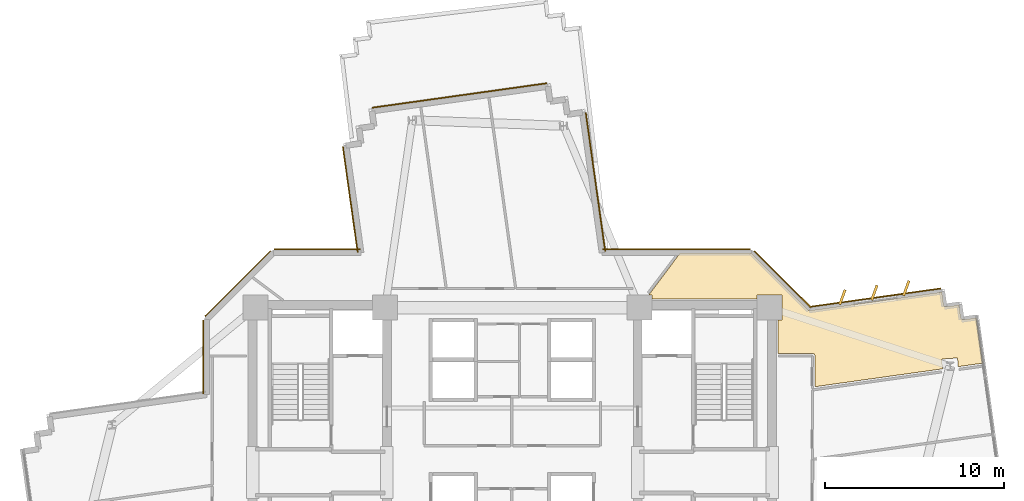
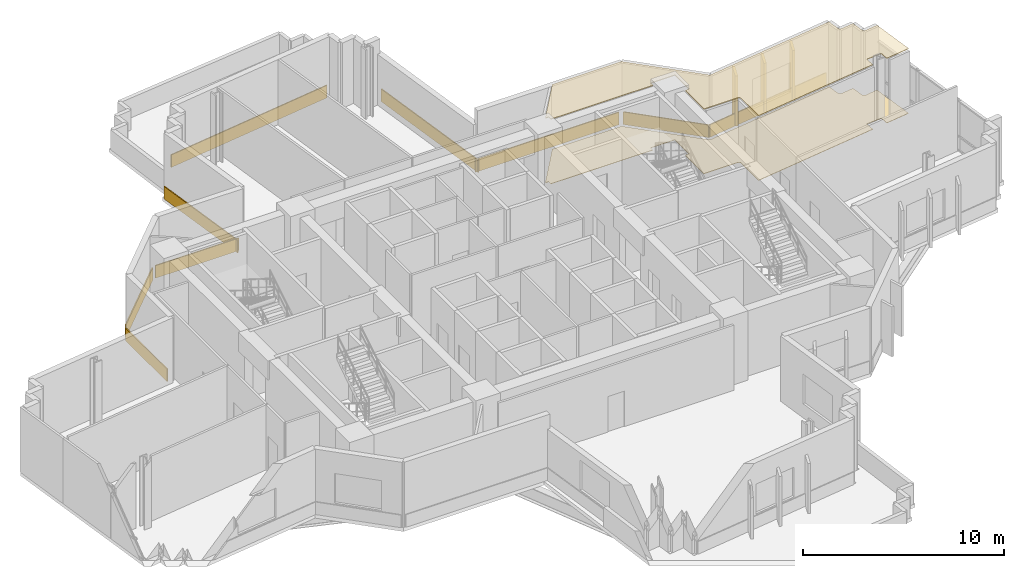
# One storey, part 13 of 13: 14 coverings.
"""IFC4 building model written with IfcOpenShell, lengths in metres."""

from ifc_helpers import new_model, si_unit, direction, frame, origin, origin_2d, place, context, subcontext, project, spatial, polyline, rectangle, outline, extrude, source, transform, mapped, material, layer, layer_set, type_object, element, save


model = new_model("IFC4")

# Units and contexts
model_context = context("Model", 3, precision=1e-05, world=origin(), true_north=direction((0.0, 1.0)))
body_context = subcontext(model_context, "Body", "Model", "MODEL_VIEW")
ifc_project = project(units=[si_unit("LENGTHUNIT", "METRE"), si_unit("AREAUNIT", "SQUARE_METRE"), si_unit("VOLUMEUNIT", "CUBIC_METRE"), si_unit("PLANEANGLEUNIT", "RADIAN"), si_unit("MASSUNIT", "GRAM", prefix="KILO")], contexts=[model_context])

# Site, building, storey
site_placement = place(None, origin())
site = spatial("IfcSite", under=ifc_project, at=site_placement, CompositionType="ELEMENT")
building_placement = place(site_placement, origin())
building = spatial("IfcBuilding", under=site, at=building_placement, Name="Zahravan Cultural Tower", CompositionType="ELEMENT")
storey_placement = place(building_placement, frame((0.0, 0.0, 117.300048828125)))
storey = spatial("IfcBuildingStorey", under=building, at=storey_placement, Name="L26", CompositionType="ELEMENT", Elevation=117.300048828125)

# Coverings
ifc_material_1 = material(Name="Acoustic mineral fibreboard")
ifc_layer_1 = layer(ifc_material_1, 0.0400390625)
ifc_layer_set_1 = layer_set([ifc_layer_1], Name="Acoustic mineral fibreboard")
covering_type_1 = type_object("IfcCoveringType", Name="COV-CEIL-AC20", PredefinedType="CEILING", material=ifc_layer_set_1)
covering_1_placement = place(storey_placement, frame((0.0, 0.0, 3.909912109375)))
element("IfcCovering", 1, at=covering_1_placement, inside=storey, type_object=covering_type_1, Name="L26 Acoustic Suspended Ceiling", PredefinedType="CEILING", context=body_context, shape_type="SweptSolid", body=[
    extrude(outline(polyline([(52.7578125, 33.639892578125), (52.80419921875, 33.630615234375), (52.85009765625, 33.60009765625), (52.880615234375, 33.55419921875), (52.889892578125, 33.5078125), (52.889892578125, 31.781005859375), (60.015380859375, 32.780029296875), (59.97705078125, 33.327880859375), (60.854736328125, 33.389404296875), (60.888916015625, 32.90234375), (62.248291015625, 33.093017578125), (61.894287109375, 35.618408203125), (61.201416015625, 35.521240234375), (61.1328125, 35.528564453125), (61.067626953125, 35.57275390625), (61.03369140625, 35.63720703125), (60.9345703125, 36.342041015625), (60.243408203125, 36.2451171875), (60.1884765625, 36.248291015625), (60.131591796875, 36.275634765625), (60.08984375, 36.32275390625), (60.07177734375, 36.374755859375), (59.974853515625, 37.06591796875), (52.577880859375, 36.03271484375), (52.501220703125, 36.072509765625), (49.333740234375, 39.239990234375), (45.36279296875, 39.239990234375), (43.615478515625, 36.89990234375), (43.800048828125, 36.89990234375), (43.800048828125, 36.679931640625), (49.64990234375, 36.679931640625), (49.64990234375, 36.89990234375), (51.050048828125, 36.89990234375), (51.050048828125, 35.5), (50.830078125, 35.5), (50.830078125, 33.6396484375), (52.7578125, 33.639892578125)])), origin(), (0.0, 0.0, 1.0), 0.0400390625),
])
ifc_material_2 = material(Name="Terrazzo flooring")
ifc_layer_2 = layer(ifc_material_2, 0.02490234375)
ifc_layer_set_2 = layer_set([ifc_layer_2], Name="Terrazzo flooring")
covering_type_2 = type_object("IfcCoveringType", Name="COV-FLR-TZ25", PredefinedType="FLOORING", material=ifc_layer_set_2)
covering_2_placement = place(storey_placement, origin())
element("IfcCovering", 2, at=covering_2_placement, inside=storey, type_object=covering_type_2, Name="L26 Polished Terrazzo Flooring", PredefinedType="FLOORING", context=body_context, shape_type="SweptSolid", body=[
    extrude(outline(polyline([(52.7578125, 33.639892578125), (52.80419921875, 33.630615234375), (52.85009765625, 33.60009765625), (52.880615234375, 33.55419921875), (52.889892578125, 33.5078125), (52.889892578125, 31.781005859375), (60.015380859375, 32.780029296875), (59.97705078125, 33.327880859375), (60.854736328125, 33.389404296875), (60.888916015625, 32.90234375), (62.248291015625, 33.093017578125), (61.894287109375, 35.618408203125), (61.201416015625, 35.521240234375), (61.1328125, 35.528564453125), (61.067626953125, 35.57275390625), (61.03369140625, 35.63720703125), (60.9345703125, 36.342041015625), (60.243408203125, 36.2451171875), (60.1884765625, 36.248291015625), (60.131591796875, 36.275634765625), (60.08984375, 36.32275390625), (60.07177734375, 36.374755859375), (59.974853515625, 37.06591796875), (52.577880859375, 36.03271484375), (52.501220703125, 36.072509765625), (49.333740234375, 39.239990234375), (45.36279296875, 39.239990234375), (43.615478515625, 36.89990234375), (43.800048828125, 36.89990234375), (43.800048828125, 36.679931640625), (49.64990234375, 36.679931640625), (49.64990234375, 36.89990234375), (51.050048828125, 36.89990234375), (51.050048828125, 35.5), (50.830078125, 35.5), (50.830078125, 33.6396484375), (52.7578125, 33.639892578125)])), origin(), (0.0, 0.0, 1.0), 0.02490234375),
])
ifc_material_3 = material(Name="Terracotta ceramic cladding", Category="masonry")
ifc_layer_3 = layer(ifc_material_3, 0.06005859375)
ifc_layer_set_3 = layer_set([ifc_layer_3], Name="Terracotta ceramic cladding")
covering_type_3 = type_object("IfcCoveringType", Name="COV-CLAD-TC60", PredefinedType="CLADDING", material=ifc_layer_set_3)
shared_shape_1 = source(origin(), body_context, "Body", "SweptSolid", [
    extrude(rectangle(XDim=9.820068359375, YDim=0.06005859375, at=origin_2d()), origin(), (0.0, 0.0, 1.0), 0.760009765625),
])
covering_3_placement = place(storey_placement, frame((33.050537109375, 48.039306640625, 0.02001953125), z_axis=(0.0, 0.0, 1.0), x_axis=(0.990316588987, 0.138827423723, 0.0)))
element("IfcCovering", 3, at=covering_3_placement, inside=storey, type_object=covering_type_3, Name="L26 Terracotta Spandrel Cladding 45", PredefinedType="CLADDING", context=body_context, shape_type="MappedRepresentation", body=[
    mapped(shared_shape_1, transform((0.0, 0.0, 0.0), x_axis=(1.0, 0.0, 0.0), y_axis=(0.0, 1.0, 0.0), z_axis=(0.0, 0.0, 1.0), scale=1.0)),
])
shared_shape_2 = source(origin(), body_context, "Body", "SweptSolid", [
    extrude(rectangle(XDim=5.157958984375, YDim=0.06005859375, at=origin_2d()), origin(), (0.0, 0.0, 1.0), 0.760009765625),
])
covering_4_placement = place(storey_placement, frame((20.668212890625, 37.53173828125, 0.02001953125), z_axis=(0.0, 0.0, 1.0), x_axis=(0.707106781187, 0.707106781187, 0.0)))
element("IfcCovering", 4, at=covering_4_placement, inside=storey, type_object=covering_type_3, Name="L26 Terracotta Spandrel Cladding 38", PredefinedType="CLADDING", context=body_context, shape_type="MappedRepresentation", body=[
    mapped(shared_shape_2, transform((0.0, 0.0, 0.0), x_axis=(1.0, 0.0, 0.0), y_axis=(0.0, 1.0, 0.0), z_axis=(0.0, 0.0, 1.0), scale=1.0)),
])
shared_shape_3 = source(origin(), body_context, "Body", "SweptSolid", [
    extrude(rectangle(XDim=0.8798828125, YDim=0.139892578125, at=origin_2d()), origin(), (0.0, 0.0, 1.0), 3.030029296875),
])
for number, where, z_axis, x_axis, name in (
    (5, (54.426025390625, 36.78271484375, 0.0498046875), (0.0, 0.0, 1.0), (0.342364535679, 0.939567200742, 0.0), "L26 Herringbone Terracotta Fin 01"),
    (6, (56.20849609375, 37.03271484375, 0.0498046875), (0.0, 0.0, 1.0), (0.342364535679, 0.939567200742, 0.0), "L26 Herringbone Terracotta Fin 02"),
    (7, (57.9912109375, 37.28271484375, 0.0498046875), (0.0, 0.0, 1.0), (0.342364535679, 0.939567200742, 0.0), "L26 Herringbone Terracotta Fin 03"),
):
    element("IfcCovering", number, at=place(storey_placement, frame(where, z_axis=z_axis, x_axis=x_axis)), inside=storey, type_object=covering_type_3, Name=name, PredefinedType="CLADDING", context=body_context, shape_type="MappedRepresentation", body=[
        mapped(shared_shape_3, transform((0.0, 0.0, 0.0), x_axis=(1.0, 0.0, 0.0), y_axis=(0.0, 1.0, 0.0), z_axis=(0.0, 0.0, 1.0), scale=1.0)),
    ])
shared_shape_4 = source(origin(), body_context, "Body", "SweptSolid", [
    extrude(rectangle(XDim=7.40869140625, YDim=0.06005859375, at=origin_2d()), origin(), (0.0, 0.0, 1.0), 0.760009765625),
])
covering_5_placement = place(storey_placement, frame((56.248291015625, 36.75048828125, 0.02001953125), z_axis=(0.0, 0.0, 1.0), x_axis=(0.990319011832, 0.138810139416, 0.0)))
element("IfcCovering", 8, at=covering_5_placement, inside=storey, type_object=covering_type_3, Name="L26 Terracotta Spandrel Cladding 01", PredefinedType="CLADDING", context=body_context, shape_type="MappedRepresentation", body=[
    mapped(shared_shape_4, transform((0.0, 0.0, 0.0), x_axis=(1.0, 0.0, 0.0), y_axis=(0.0, 1.0, 0.0), z_axis=(0.0, 0.0, 1.0), scale=1.0)),
])
shared_shape_5 = source(origin(), body_context, "Body", "SweptSolid", [
    extrude(rectangle(XDim=4.1083984375, YDim=0.06005859375, at=origin_2d()), origin(), (0.0, 0.0, 1.0), 0.760009765625),
])
covering_6_placement = place(storey_placement, frame((18.7548828125, 33.437744140625, 0.02001953125), z_axis=(0.0, 0.0, 1.0), x_axis=(0.0, 1.0, 0.0)))
element("IfcCovering", 9, at=covering_6_placement, inside=storey, type_object=covering_type_3, Name="L26 Terracotta Spandrel Cladding 37", PredefinedType="CLADDING", context=body_context, shape_type="MappedRepresentation", body=[
    mapped(shared_shape_5, transform((0.0, 0.0, 0.0), x_axis=(1.0, 0.0, 0.0), y_axis=(0.0, 1.0, 0.0), z_axis=(0.0, 0.0, 1.0), scale=1.0)),
])
shared_shape_6 = source(origin(), body_context, "Body", "SweptSolid", [
    extrude(rectangle(XDim=4.798095703125, YDim=0.06005859375, at=origin_2d()), origin(), (0.0, 0.0, 1.0), 0.760009765625),
])
covering_7_placement = place(storey_placement, frame((25.107177734375, 39.445068359375, 0.02001953125), z_axis=(0.0, 0.0, 1.0), x_axis=(1.0, 0.0, 0.0)))
element("IfcCovering", 10, at=covering_7_placement, inside=storey, type_object=covering_type_3, Name="L26 Terracotta Spandrel Cladding 39", PredefinedType="CLADDING", context=body_context, shape_type="MappedRepresentation", body=[
    mapped(shared_shape_6, transform((0.0, 0.0, 0.0), x_axis=(1.0, 0.0, 0.0), y_axis=(0.0, 1.0, 0.0), z_axis=(0.0, 0.0, 1.0), scale=1.0)),
])
shared_shape_7 = source(origin(), body_context, "Body", "SweptSolid", [
    extrude(rectangle(XDim=5.9462890625, YDim=0.06005859375, at=origin_2d()), origin(), (0.0, 0.0, 1.0), 0.760009765625),
])
covering_8_placement = place(storey_placement, frame((26.953369140625, 42.228271484375, 0.02001953125), z_axis=(0.0, 0.0, 1.0), x_axis=(-0.138827423723, 0.990316588987, 0.0)))
element("IfcCovering", 11, at=covering_8_placement, inside=storey, type_object=covering_type_3, Name="L26 Terracotta Spandrel Cladding 40", PredefinedType="CLADDING", context=body_context, shape_type="MappedRepresentation", body=[
    mapped(shared_shape_7, transform((0.0, 0.0, 0.0), x_axis=(1.0, 0.0, 0.0), y_axis=(0.0, 1.0, 0.0), z_axis=(0.0, 0.0, 1.0), scale=1.0)),
])
shared_shape_8 = source(origin(), body_context, "Body", "SweptSolid", [
    extrude(rectangle(XDim=7.813720703125, YDim=0.06005859375, at=origin_2d()), origin(), (0.0, 0.0, 1.0), 0.760009765625),
])
covering_9_placement = place(storey_placement, frame((40.640380859375, 43.2041015625, 0.02001953125), z_axis=(0.0, 0.0, 1.0), x_axis=(0.138827423723, -0.990316588987, 0.0)))
element("IfcCovering", 12, at=covering_9_placement, inside=storey, type_object=covering_type_3, Name="L26 Terracotta Spandrel Cladding 50", PredefinedType="CLADDING", context=body_context, shape_type="MappedRepresentation", body=[
    mapped(shared_shape_8, transform((0.0, 0.0, 0.0), x_axis=(1.0, 0.0, 0.0), y_axis=(0.0, 1.0, 0.0), z_axis=(0.0, 0.0, 1.0), scale=1.0)),
])
shared_shape_9 = source(origin(), body_context, "Body", "SweptSolid", [
    extrude(rectangle(XDim=8.235595703125, YDim=0.06005859375, at=origin_2d()), origin(), (0.0, 0.0, 1.0), 0.760009765625),
])
covering_10_placement = place(storey_placement, frame((45.17431640625, 39.445068359375, 0.02001953125), z_axis=(0.0, 0.0, 1.0), x_axis=(1.0, 0.0, 0.0)))
element("IfcCovering", 13, at=covering_10_placement, inside=storey, type_object=covering_type_3, Name="L26 Terracotta Spandrel Cladding 51", PredefinedType="CLADDING", context=body_context, shape_type="MappedRepresentation", body=[
    mapped(shared_shape_9, transform((0.0, 0.0, 0.0), x_axis=(1.0, 0.0, 0.0), y_axis=(0.0, 1.0, 0.0), z_axis=(0.0, 0.0, 1.0), scale=1.0)),
])
shared_shape_10 = source(origin(), body_context, "Body", "SweptSolid", [
    extrude(rectangle(XDim=4.445068359375, YDim=0.06005859375, at=origin_2d()), origin(), (0.0, 0.0, 1.0), 0.760009765625),
])
covering_11_placement = place(storey_placement, frame((51.079833984375, 37.783935546875, 0.02001953125), z_axis=(0.0, 0.0, 1.0), x_axis=(0.707106781187, -0.707106781187, 0.0)))
element("IfcCovering", 14, at=covering_11_placement, inside=storey, type_object=covering_type_3, Name="L26 Terracotta Spandrel Cladding 52", PredefinedType="CLADDING", context=body_context, shape_type="MappedRepresentation", body=[
    mapped(shared_shape_10, transform((0.0, 0.0, 0.0), x_axis=(1.0, 0.0, 0.0), y_axis=(0.0, 1.0, 0.0), z_axis=(0.0, 0.0, 1.0), scale=1.0)),
])

save(model, "model.ifc")
